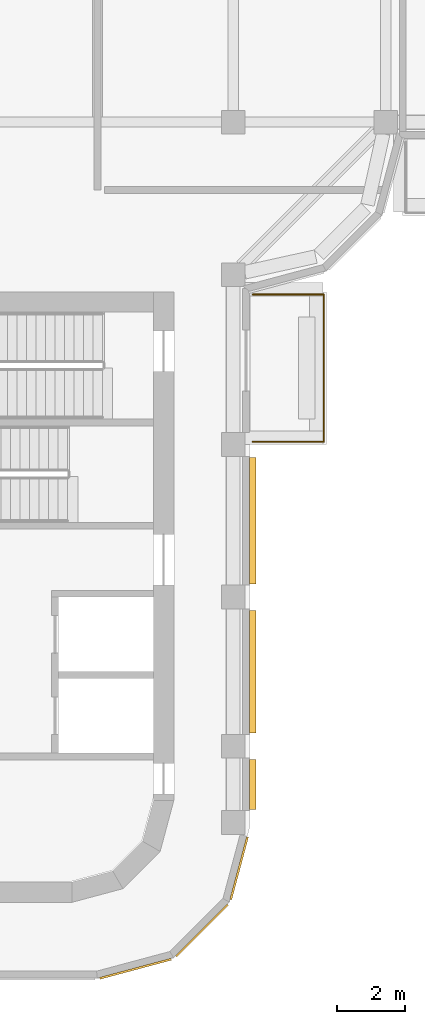
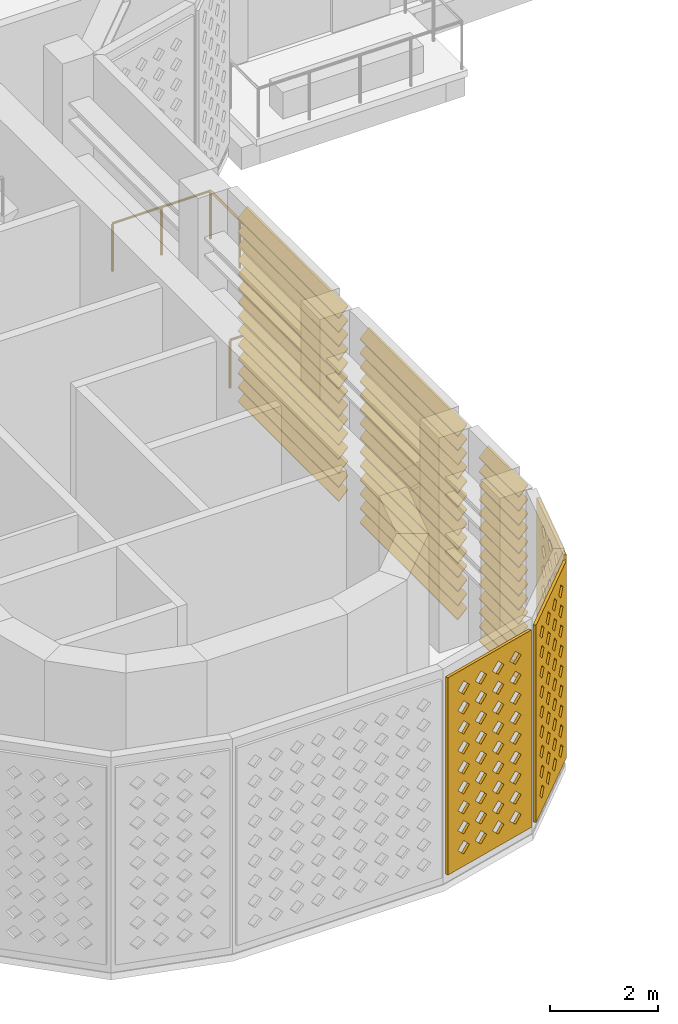
# One storey, part 13 of 20: 3 coverings, 3 shading devices, 1 railing.
"""IFC4 building model written with IfcOpenShell, lengths in metres."""

from ifc_helpers import new_model, si_unit, direction, frame, origin, origin_2d, place, context, subcontext, project, spatial, polyline, circle, outline, extrude, source, transform, mapped, material, layer, layer_set, type_object, element, save


model = new_model("IFC4")

# Units and contexts
model_context = context("Model", 3, precision=1e-05, world=origin(), true_north=direction((0.0, 1.0)))
body_context = subcontext(model_context, "Body", "Model", "MODEL_VIEW")
ifc_project = project(units=[si_unit("LENGTHUNIT", "METRE"), si_unit("AREAUNIT", "SQUARE_METRE"), si_unit("VOLUMEUNIT", "CUBIC_METRE"), si_unit("PLANEANGLEUNIT", "RADIAN"), si_unit("MASSUNIT", "GRAM", prefix="KILO")], contexts=[model_context])

# Site, building, storey
site_placement = place(None, origin())
site = spatial("IfcSite", under=ifc_project, at=site_placement, CompositionType="ELEMENT")
building_placement = place(site_placement, origin())
building = spatial("IfcBuilding", under=site, at=building_placement, Name="Zarbagh Exchange Tower", CompositionType="ELEMENT")
storey_placement = place(building_placement, frame((0.0, 0.0, 244.800048828125)))
storey = spatial("IfcBuildingStorey", under=building, at=storey_placement, Name="L60", CompositionType="ELEMENT", Elevation=244.800048828125)

# Railing
ifc_material_1 = material(Name="Stainless steel and laminated glass", Category="steel")
railing_type = type_object("IfcRailingType", Name="Terrace guard, glass balustrade 1.1 m", PredefinedType="GUARDRAIL", material=ifc_material_1)
railing_placement = place(storey_placement, frame((6.830078125, -11.330078125, 0.0)))
element("IfcRailing", 1, at=railing_placement, inside=storey, type_object=railing_type, Name="TG01 terrace guard", PredefinedType="GUARDRAIL", context=body_context, shape_type="SweptSolid", body=[
    extrude(circle(Radius=0.02490234375, at=origin_2d()), frame((0.0, 0.0, 1.0751953125), z_axis=(1.0, 0.0, 0.0), x_axis=(0.0, 1.0, 0.0)), (0.0, 0.0, 1.0), 2.08984375),
    extrude(circle(Radius=0.02490234375, at=origin_2d()), frame((2.08984375, 0.0, 1.0751953125), z_axis=(0.0, -1.0, 0.0), x_axis=(1.0, 0.0, 0.0)), (0.0, 0.0, 1.0), 4.33984375),
    extrude(circle(Radius=0.02490234375, at=origin_2d()), frame((2.08984375, -4.33984375, 1.0751953125), z_axis=(-1.0, 0.0, 0.0), x_axis=(0.0, -1.0, 0.0)), (0.0, 0.0, 1.0), 2.08984375),
    extrude(circle(Radius=0.02490234375, at=origin_2d()), origin(), (0.0, 0.0, 1.0), 1.050048828125),
    extrude(circle(Radius=0.02490234375, at=origin_2d()), frame((1.044921875, 0.0, 0.0)), (0.0, 0.0, 1.0), 1.050048828125),
    extrude(circle(Radius=0.02490234375, at=origin_2d()), frame((2.08984375, 0.0, 0.0)), (0.0, 0.0, 1.0), 1.050048828125),
    extrude(circle(Radius=0.02490234375, at=origin_2d()), frame((2.08984375, -1.0849609375, 0.0)), (0.0, 0.0, 1.0), 1.050048828125),
    extrude(circle(Radius=0.02490234375, at=origin_2d()), frame((2.08984375, -2.169921875, 0.0)), (0.0, 0.0, 1.0), 1.050048828125),
    extrude(circle(Radius=0.02490234375, at=origin_2d()), frame((2.08984375, -3.2548828125, 0.0)), (0.0, 0.0, 1.0), 1.050048828125),
    extrude(circle(Radius=0.02490234375, at=origin_2d()), frame((2.08984375, -4.33984375, 0.0)), (0.0, 0.0, 1.0), 1.050048828125),
    extrude(circle(Radius=0.02490234375, at=origin_2d()), frame((1.044921875, -4.33984375, 0.0)), (0.0, 0.0, 1.0), 1.050048828125),
    extrude(circle(Radius=0.02490234375, at=origin_2d()), frame((0.0, -4.33984375, 0.0)), (0.0, 0.0, 1.0), 1.050048828125),
])

# Coverings
ifc_material_2 = material(Name="Glass-fibre reinforced concrete GFRC C50/60", Category="concrete")
ifc_layer = layer(ifc_material_2, 0.06005859375)
ifc_layer_set = layer_set([ifc_layer], Name="SCREEN jali panel, GFRC")
covering_type = type_object("IfcCoveringType", Name="SCREEN jali panel, GFRC", PredefinedType="CLADDING", material=ifc_layer_set)
shared_shape_1 = source(origin(), body_context, "Body", "SweptSolid", [
    extrude(outline(polyline([(0.0, 0.0), (2.1650390625, 0.0), (2.1650390625, 4.449951171875), (0.0, 4.449951171875), (0.0, 0.0)]), holes=[polyline([(0.257568359375, 0.425048828125), (0.407470703125, 0.27490234375), (0.5576171875, 0.425048828125), (0.407470703125, 0.574951171875), (0.257568359375, 0.425048828125)]), polyline([(0.257568359375, 0.875), (0.407470703125, 0.72509765625), (0.5576171875, 0.875), (0.407470703125, 1.02490234375), (0.257568359375, 0.875)]), polyline([(0.257568359375, 1.324951171875), (0.407470703125, 1.175048828125), (0.5576171875, 1.324951171875), (0.407470703125, 1.47509765625), (0.257568359375, 1.324951171875)]), polyline([(0.257568359375, 1.77490234375), (0.407470703125, 1.625), (0.5576171875, 1.77490234375), (0.407470703125, 1.925048828125), (0.257568359375, 1.77490234375)]), polyline([(0.257568359375, 2.22509765625), (0.407470703125, 2.074951171875), (0.5576171875, 2.22509765625), (0.407470703125, 2.375), (0.257568359375, 2.22509765625)]), polyline([(0.257568359375, 2.675048828125), (0.407470703125, 2.52490234375), (0.5576171875, 2.675048828125), (0.407470703125, 2.824951171875), (0.257568359375, 2.675048828125)]), polyline([(0.257568359375, 3.125), (0.407470703125, 2.97509765625), (0.5576171875, 3.125), (0.407470703125, 3.27490234375), (0.257568359375, 3.125)]), polyline([(0.257568359375, 3.574951171875), (0.407470703125, 3.425048828125), (0.5576171875, 3.574951171875), (0.407470703125, 3.72509765625), (0.257568359375, 3.574951171875)]), polyline([(0.257568359375, 4.02490234375), (0.407470703125, 3.875), (0.5576171875, 4.02490234375), (0.407470703125, 4.175048828125), (0.257568359375, 4.02490234375)]), polyline([(0.70751953125, 0.425048828125), (0.857421875, 0.27490234375), (1.007568359375, 0.425048828125), (0.857421875, 0.574951171875), (0.70751953125, 0.425048828125)]), polyline([(0.70751953125, 0.875), (0.857421875, 0.72509765625), (1.007568359375, 0.875), (0.857421875, 1.02490234375), (0.70751953125, 0.875)]), polyline([(0.70751953125, 1.324951171875), (0.857421875, 1.175048828125), (1.007568359375, 1.324951171875), (0.857421875, 1.47509765625), (0.70751953125, 1.324951171875)]), polyline([(0.70751953125, 1.77490234375), (0.857421875, 1.625), (1.007568359375, 1.77490234375), (0.857421875, 1.925048828125), (0.70751953125, 1.77490234375)]), polyline([(0.70751953125, 2.22509765625), (0.857421875, 2.074951171875), (1.007568359375, 2.22509765625), (0.857421875, 2.375), (0.70751953125, 2.22509765625)]), polyline([(0.70751953125, 2.675048828125), (0.857421875, 2.52490234375), (1.007568359375, 2.675048828125), (0.857421875, 2.824951171875), (0.70751953125, 2.675048828125)]), polyline([(0.70751953125, 3.125), (0.857421875, 2.97509765625), (1.007568359375, 3.125), (0.857421875, 3.27490234375), (0.70751953125, 3.125)]), polyline([(0.70751953125, 3.574951171875), (0.857421875, 3.425048828125), (1.007568359375, 3.574951171875), (0.857421875, 3.72509765625), (0.70751953125, 3.574951171875)]), polyline([(0.70751953125, 4.02490234375), (0.857421875, 3.875), (1.007568359375, 4.02490234375), (0.857421875, 4.175048828125), (0.70751953125, 4.02490234375)]), polyline([(1.157470703125, 0.425048828125), (1.3076171875, 0.27490234375), (1.45751953125, 0.425048828125), (1.3076171875, 0.574951171875), (1.157470703125, 0.425048828125)]), polyline([(1.157470703125, 0.875), (1.3076171875, 0.72509765625), (1.45751953125, 0.875), (1.3076171875, 1.02490234375), (1.157470703125, 0.875)]), polyline([(1.157470703125, 1.324951171875), (1.3076171875, 1.175048828125), (1.45751953125, 1.324951171875), (1.3076171875, 1.47509765625), (1.157470703125, 1.324951171875)]), polyline([(1.157470703125, 1.77490234375), (1.3076171875, 1.625), (1.45751953125, 1.77490234375), (1.3076171875, 1.925048828125), (1.157470703125, 1.77490234375)]), polyline([(1.157470703125, 2.22509765625), (1.3076171875, 2.074951171875), (1.45751953125, 2.22509765625), (1.3076171875, 2.375), (1.157470703125, 2.22509765625)]), polyline([(1.157470703125, 2.675048828125), (1.3076171875, 2.52490234375), (1.45751953125, 2.675048828125), (1.3076171875, 2.824951171875), (1.157470703125, 2.675048828125)]), polyline([(1.157470703125, 3.125), (1.3076171875, 2.97509765625), (1.45751953125, 3.125), (1.3076171875, 3.27490234375), (1.157470703125, 3.125)]), polyline([(1.157470703125, 3.574951171875), (1.3076171875, 3.425048828125), (1.45751953125, 3.574951171875), (1.3076171875, 3.72509765625), (1.157470703125, 3.574951171875)]), polyline([(1.157470703125, 4.02490234375), (1.3076171875, 3.875), (1.45751953125, 4.02490234375), (1.3076171875, 4.175048828125), (1.157470703125, 4.02490234375)]), polyline([(1.607421875, 0.425048828125), (1.757568359375, 0.27490234375), (1.907470703125, 0.425048828125), (1.757568359375, 0.574951171875), (1.607421875, 0.425048828125)]), polyline([(1.607421875, 0.875), (1.757568359375, 0.72509765625), (1.907470703125, 0.875), (1.757568359375, 1.02490234375), (1.607421875, 0.875)]), polyline([(1.607421875, 1.324951171875), (1.757568359375, 1.175048828125), (1.907470703125, 1.324951171875), (1.757568359375, 1.47509765625), (1.607421875, 1.324951171875)]), polyline([(1.607421875, 1.77490234375), (1.757568359375, 1.625), (1.907470703125, 1.77490234375), (1.757568359375, 1.925048828125), (1.607421875, 1.77490234375)]), polyline([(1.607421875, 2.22509765625), (1.757568359375, 2.074951171875), (1.907470703125, 2.22509765625), (1.757568359375, 2.375), (1.607421875, 2.22509765625)]), polyline([(1.607421875, 2.675048828125), (1.757568359375, 2.52490234375), (1.907470703125, 2.675048828125), (1.757568359375, 2.824951171875), (1.607421875, 2.675048828125)]), polyline([(1.607421875, 3.125), (1.757568359375, 2.97509765625), (1.907470703125, 3.125), (1.757568359375, 3.27490234375), (1.607421875, 3.125)]), polyline([(1.607421875, 3.574951171875), (1.757568359375, 3.425048828125), (1.907470703125, 3.574951171875), (1.757568359375, 3.72509765625), (1.607421875, 3.574951171875)]), polyline([(1.607421875, 4.02490234375), (1.757568359375, 3.875), (1.907470703125, 4.02490234375), (1.757568359375, 4.175048828125), (1.607421875, 4.02490234375)])]), origin(), (0.0, 0.0, 1.0), 0.06005859375),
])
placement = place(storey_placement, origin())
element("IfcCovering", 2, at=placement, inside=storey, type_object=covering_type, Name="JS56 jali screen", PredefinedType="CLADDING", context=body_context, shape_type="MappedRepresentation", body=[
    mapped(shared_shape_1, transform((4.5439453125, -30.824951171875, 0.199951171875), x_axis=(0.707106781187, 0.707106781187, 0.0), y_axis=(0.0, 0.0, 1.0), z_axis=(0.707106781187, -0.707106781187, 0.0))),
])
shared_shape_2 = source(origin(), body_context, "Body", "SweptSolid", [
    extrude(outline(polyline([(0.0, 0.0), (2.181396484375, 0.0), (2.181396484375, 4.449951171875), (0.0, 4.449951171875), (0.0, 0.0)]), holes=[polyline([(0.265625, 0.425048828125), (0.415771484375, 0.27490234375), (0.565673828125, 0.425048828125), (0.415771484375, 0.574951171875), (0.265625, 0.425048828125)]), polyline([(0.265625, 0.875), (0.415771484375, 0.72509765625), (0.565673828125, 0.875), (0.415771484375, 1.02490234375), (0.265625, 0.875)]), polyline([(0.265625, 1.324951171875), (0.415771484375, 1.175048828125), (0.565673828125, 1.324951171875), (0.415771484375, 1.47509765625), (0.265625, 1.324951171875)]), polyline([(0.265625, 1.77490234375), (0.415771484375, 1.625), (0.565673828125, 1.77490234375), (0.415771484375, 1.925048828125), (0.265625, 1.77490234375)]), polyline([(0.265625, 2.22509765625), (0.415771484375, 2.074951171875), (0.565673828125, 2.22509765625), (0.415771484375, 2.375), (0.265625, 2.22509765625)]), polyline([(0.265625, 2.675048828125), (0.415771484375, 2.52490234375), (0.565673828125, 2.675048828125), (0.415771484375, 2.824951171875), (0.265625, 2.675048828125)]), polyline([(0.265625, 3.125), (0.415771484375, 2.97509765625), (0.565673828125, 3.125), (0.415771484375, 3.27490234375), (0.265625, 3.125)]), polyline([(0.265625, 3.574951171875), (0.415771484375, 3.425048828125), (0.565673828125, 3.574951171875), (0.415771484375, 3.72509765625), (0.265625, 3.574951171875)]), polyline([(0.265625, 4.02490234375), (0.415771484375, 3.875), (0.565673828125, 4.02490234375), (0.415771484375, 4.175048828125), (0.265625, 4.02490234375)]), polyline([(0.7158203125, 0.425048828125), (0.86572265625, 0.27490234375), (1.015625, 0.425048828125), (0.86572265625, 0.574951171875), (0.7158203125, 0.425048828125)]), polyline([(0.7158203125, 0.875), (0.86572265625, 0.72509765625), (1.015625, 0.875), (0.86572265625, 1.02490234375), (0.7158203125, 0.875)]), polyline([(0.7158203125, 1.324951171875), (0.86572265625, 1.175048828125), (1.015625, 1.324951171875), (0.86572265625, 1.47509765625), (0.7158203125, 1.324951171875)]), polyline([(0.7158203125, 1.77490234375), (0.86572265625, 1.625), (1.015625, 1.77490234375), (0.86572265625, 1.925048828125), (0.7158203125, 1.77490234375)]), polyline([(0.7158203125, 2.22509765625), (0.86572265625, 2.074951171875), (1.015625, 2.22509765625), (0.86572265625, 2.375), (0.7158203125, 2.22509765625)]), polyline([(0.7158203125, 2.675048828125), (0.86572265625, 2.52490234375), (1.015625, 2.675048828125), (0.86572265625, 2.824951171875), (0.7158203125, 2.675048828125)]), polyline([(0.7158203125, 3.125), (0.86572265625, 2.97509765625), (1.015625, 3.125), (0.86572265625, 3.27490234375), (0.7158203125, 3.125)]), polyline([(0.7158203125, 3.574951171875), (0.86572265625, 3.425048828125), (1.015625, 3.574951171875), (0.86572265625, 3.72509765625), (0.7158203125, 3.574951171875)]), polyline([(0.7158203125, 4.02490234375), (0.86572265625, 3.875), (1.015625, 4.02490234375), (0.86572265625, 4.175048828125), (0.7158203125, 4.02490234375)]), polyline([(1.165771484375, 0.425048828125), (1.315673828125, 0.27490234375), (1.4658203125, 0.425048828125), (1.315673828125, 0.574951171875), (1.165771484375, 0.425048828125)]), polyline([(1.165771484375, 0.875), (1.315673828125, 0.72509765625), (1.4658203125, 0.875), (1.315673828125, 1.02490234375), (1.165771484375, 0.875)]), polyline([(1.165771484375, 1.324951171875), (1.315673828125, 1.175048828125), (1.4658203125, 1.324951171875), (1.315673828125, 1.47509765625), (1.165771484375, 1.324951171875)]), polyline([(1.165771484375, 1.77490234375), (1.315673828125, 1.625), (1.4658203125, 1.77490234375), (1.315673828125, 1.925048828125), (1.165771484375, 1.77490234375)]), polyline([(1.165771484375, 2.22509765625), (1.315673828125, 2.074951171875), (1.4658203125, 2.22509765625), (1.315673828125, 2.375), (1.165771484375, 2.22509765625)]), polyline([(1.165771484375, 2.675048828125), (1.315673828125, 2.52490234375), (1.4658203125, 2.675048828125), (1.315673828125, 2.824951171875), (1.165771484375, 2.675048828125)]), polyline([(1.165771484375, 3.125), (1.315673828125, 2.97509765625), (1.4658203125, 3.125), (1.315673828125, 3.27490234375), (1.165771484375, 3.125)]), polyline([(1.165771484375, 3.574951171875), (1.315673828125, 3.425048828125), (1.4658203125, 3.574951171875), (1.315673828125, 3.72509765625), (1.165771484375, 3.574951171875)]), polyline([(1.165771484375, 4.02490234375), (1.315673828125, 3.875), (1.4658203125, 4.02490234375), (1.315673828125, 4.175048828125), (1.165771484375, 4.02490234375)]), polyline([(1.61572265625, 0.425048828125), (1.765625, 0.27490234375), (1.915771484375, 0.425048828125), (1.765625, 0.574951171875), (1.61572265625, 0.425048828125)]), polyline([(1.61572265625, 0.875), (1.765625, 0.72509765625), (1.915771484375, 0.875), (1.765625, 1.02490234375), (1.61572265625, 0.875)]), polyline([(1.61572265625, 1.324951171875), (1.765625, 1.175048828125), (1.915771484375, 1.324951171875), (1.765625, 1.47509765625), (1.61572265625, 1.324951171875)]), polyline([(1.61572265625, 1.77490234375), (1.765625, 1.625), (1.915771484375, 1.77490234375), (1.765625, 1.925048828125), (1.61572265625, 1.77490234375)]), polyline([(1.61572265625, 2.22509765625), (1.765625, 2.074951171875), (1.915771484375, 2.22509765625), (1.765625, 2.375), (1.61572265625, 2.22509765625)]), polyline([(1.61572265625, 2.675048828125), (1.765625, 2.52490234375), (1.915771484375, 2.675048828125), (1.765625, 2.824951171875), (1.61572265625, 2.675048828125)]), polyline([(1.61572265625, 3.125), (1.765625, 2.97509765625), (1.915771484375, 3.125), (1.765625, 3.27490234375), (1.61572265625, 3.125)]), polyline([(1.61572265625, 3.574951171875), (1.765625, 3.425048828125), (1.915771484375, 3.574951171875), (1.765625, 3.72509765625), (1.61572265625, 3.574951171875)]), polyline([(1.61572265625, 4.02490234375), (1.765625, 3.875), (1.915771484375, 4.02490234375), (1.765625, 4.175048828125), (1.61572265625, 4.02490234375)])]), origin(), (0.0, 0.0, 1.0), 0.06005859375),
])
element("IfcCovering", 3, at=placement, inside=storey, type_object=covering_type, Name="JS55 jali screen", PredefinedType="CLADDING", context=body_context, shape_type="MappedRepresentation", body=[
    mapped(shared_shape_2, transform((2.308349609375, -31.463623046875, 0.199951171875), x_axis=(0.965924215207, 0.258825057666, 0.0), y_axis=(0.0, 0.0, 1.0), z_axis=(0.258825057666, -0.965924215207, 0.0))),
])

# Shading device
ifc_material_3 = material(Name="Anodised aluminium", Category="aluminium")
shading_device_type = type_object("IfcShadingDeviceType", Name="LOUVRE plant louvre, fixed blades", PredefinedType="USERDEFINED", material=ifc_material_3)
shared_shape_3 = source(origin(), body_context, "Body", "SweptSolid", [
    extrude(outline(polyline([(0.0, 0.199951171875), (0.199951171875, 0.0), (0.199951171875, -0.02001953125), (0.0, 0.179931640625), (0.0, 0.199951171875)])), origin(), (0.0, 0.0, 1.0), 3.6201171875),
])
element("IfcShadingDevice", 4, at=placement, inside=storey, type_object=shading_device_type, Name="LV13 plant louvre", ObjectType="LOUVRE", PredefinedType="USERDEFINED", context=body_context, shape_type="MappedRepresentation", body=[
    mapped(shared_shape_3, transform((6.72998046875, -24.260009765625, 0.199951171875), x_axis=(1.0, 0.0, 0.0), y_axis=(0.0, 0.0, -1.0), z_axis=(0.0, 1.0, 0.0))),
    mapped(shared_shape_3, transform((6.72998046875, -24.260009765625, 0.517822265625), x_axis=(1.0, 0.0, 0.0), y_axis=(0.0, 0.0, -1.0), z_axis=(0.0, 1.0, 0.0))),
    mapped(shared_shape_3, transform((6.72998046875, -24.260009765625, 0.835693359375), x_axis=(1.0, 0.0, 0.0), y_axis=(0.0, 0.0, -1.0), z_axis=(0.0, 1.0, 0.0))),
    mapped(shared_shape_3, transform((6.72998046875, -24.260009765625, 1.153564453125), x_axis=(1.0, 0.0, 0.0), y_axis=(0.0, 0.0, -1.0), z_axis=(0.0, 1.0, 0.0))),
    mapped(shared_shape_3, transform((6.72998046875, -24.260009765625, 1.471435546875), x_axis=(1.0, 0.0, 0.0), y_axis=(0.0, 0.0, -1.0), z_axis=(0.0, 1.0, 0.0))),
    mapped(shared_shape_3, transform((6.72998046875, -24.260009765625, 1.789306640625), x_axis=(1.0, 0.0, 0.0), y_axis=(0.0, 0.0, -1.0), z_axis=(0.0, 1.0, 0.0))),
    mapped(shared_shape_3, transform((6.72998046875, -24.260009765625, 2.107177734375), x_axis=(1.0, 0.0, 0.0), y_axis=(0.0, 0.0, -1.0), z_axis=(0.0, 1.0, 0.0))),
    mapped(shared_shape_3, transform((6.72998046875, -24.260009765625, 2.425048828125), x_axis=(1.0, 0.0, 0.0), y_axis=(0.0, 0.0, -1.0), z_axis=(0.0, 1.0, 0.0))),
    mapped(shared_shape_3, transform((6.72998046875, -24.260009765625, 2.742919921875), x_axis=(1.0, 0.0, 0.0), y_axis=(0.0, 0.0, -1.0), z_axis=(0.0, 1.0, 0.0))),
    mapped(shared_shape_3, transform((6.72998046875, -24.260009765625, 3.060546875), x_axis=(1.0, 0.0, 0.0), y_axis=(0.0, 0.0, -1.0), z_axis=(0.0, 1.0, 0.0))),
    mapped(shared_shape_3, transform((6.72998046875, -24.260009765625, 3.37841796875), x_axis=(1.0, 0.0, 0.0), y_axis=(0.0, 0.0, -1.0), z_axis=(0.0, 1.0, 0.0))),
    mapped(shared_shape_3, transform((6.72998046875, -24.260009765625, 3.6962890625), x_axis=(1.0, 0.0, 0.0), y_axis=(0.0, 0.0, -1.0), z_axis=(0.0, 1.0, 0.0))),
    mapped(shared_shape_3, transform((6.72998046875, -24.260009765625, 4.01416015625), x_axis=(1.0, 0.0, 0.0), y_axis=(0.0, 0.0, -1.0), z_axis=(0.0, 1.0, 0.0))),
    mapped(shared_shape_3, transform((6.72998046875, -24.260009765625, 4.33203125), x_axis=(1.0, 0.0, 0.0), y_axis=(0.0, 0.0, -1.0), z_axis=(0.0, 1.0, 0.0))),
])

# Covering
shared_shape_4 = source(origin(), body_context, "Body", "SweptSolid", [
    extrude(outline(polyline([(0.0, 0.0), (1.914794921875, 0.0), (1.914794921875, 4.449951171875), (0.0, 4.449951171875), (0.0, 0.0)]), holes=[polyline([(0.357421875, 0.425048828125), (0.50732421875, 0.27490234375), (0.657470703125, 0.425048828125), (0.50732421875, 0.574951171875), (0.357421875, 0.425048828125)]), polyline([(0.357421875, 0.875), (0.50732421875, 0.72509765625), (0.657470703125, 0.875), (0.50732421875, 1.02490234375), (0.357421875, 0.875)]), polyline([(0.357421875, 1.324951171875), (0.50732421875, 1.175048828125), (0.657470703125, 1.324951171875), (0.50732421875, 1.47509765625), (0.357421875, 1.324951171875)]), polyline([(0.357421875, 1.77490234375), (0.50732421875, 1.625), (0.657470703125, 1.77490234375), (0.50732421875, 1.925048828125), (0.357421875, 1.77490234375)]), polyline([(0.357421875, 2.22509765625), (0.50732421875, 2.074951171875), (0.657470703125, 2.22509765625), (0.50732421875, 2.375), (0.357421875, 2.22509765625)]), polyline([(0.357421875, 2.675048828125), (0.50732421875, 2.52490234375), (0.657470703125, 2.675048828125), (0.50732421875, 2.824951171875), (0.357421875, 2.675048828125)]), polyline([(0.357421875, 3.125), (0.50732421875, 2.97509765625), (0.657470703125, 3.125), (0.50732421875, 3.27490234375), (0.357421875, 3.125)]), polyline([(0.357421875, 3.574951171875), (0.50732421875, 3.425048828125), (0.657470703125, 3.574951171875), (0.50732421875, 3.72509765625), (0.357421875, 3.574951171875)]), polyline([(0.357421875, 4.02490234375), (0.50732421875, 3.875), (0.657470703125, 4.02490234375), (0.50732421875, 4.175048828125), (0.357421875, 4.02490234375)]), polyline([(0.807373046875, 0.425048828125), (0.95751953125, 0.27490234375), (1.107421875, 0.425048828125), (0.95751953125, 0.574951171875), (0.807373046875, 0.425048828125)]), polyline([(0.807373046875, 0.875), (0.95751953125, 0.72509765625), (1.107421875, 0.875), (0.95751953125, 1.02490234375), (0.807373046875, 0.875)]), polyline([(0.807373046875, 1.324951171875), (0.95751953125, 1.175048828125), (1.107421875, 1.324951171875), (0.95751953125, 1.47509765625), (0.807373046875, 1.324951171875)]), polyline([(0.807373046875, 1.77490234375), (0.95751953125, 1.625), (1.107421875, 1.77490234375), (0.95751953125, 1.925048828125), (0.807373046875, 1.77490234375)]), polyline([(0.807373046875, 2.22509765625), (0.95751953125, 2.074951171875), (1.107421875, 2.22509765625), (0.95751953125, 2.375), (0.807373046875, 2.22509765625)]), polyline([(0.807373046875, 2.675048828125), (0.95751953125, 2.52490234375), (1.107421875, 2.675048828125), (0.95751953125, 2.824951171875), (0.807373046875, 2.675048828125)]), polyline([(0.807373046875, 3.125), (0.95751953125, 2.97509765625), (1.107421875, 3.125), (0.95751953125, 3.27490234375), (0.807373046875, 3.125)]), polyline([(0.807373046875, 3.574951171875), (0.95751953125, 3.425048828125), (1.107421875, 3.574951171875), (0.95751953125, 3.72509765625), (0.807373046875, 3.574951171875)]), polyline([(0.807373046875, 4.02490234375), (0.95751953125, 3.875), (1.107421875, 4.02490234375), (0.95751953125, 4.175048828125), (0.807373046875, 4.02490234375)]), polyline([(1.25732421875, 0.425048828125), (1.407470703125, 0.27490234375), (1.557373046875, 0.425048828125), (1.407470703125, 0.574951171875), (1.25732421875, 0.425048828125)]), polyline([(1.25732421875, 0.875), (1.407470703125, 0.72509765625), (1.557373046875, 0.875), (1.407470703125, 1.02490234375), (1.25732421875, 0.875)]), polyline([(1.25732421875, 1.324951171875), (1.407470703125, 1.175048828125), (1.557373046875, 1.324951171875), (1.407470703125, 1.47509765625), (1.25732421875, 1.324951171875)]), polyline([(1.25732421875, 1.77490234375), (1.407470703125, 1.625), (1.557373046875, 1.77490234375), (1.407470703125, 1.925048828125), (1.25732421875, 1.77490234375)]), polyline([(1.25732421875, 2.22509765625), (1.407470703125, 2.074951171875), (1.557373046875, 2.22509765625), (1.407470703125, 2.375), (1.25732421875, 2.22509765625)]), polyline([(1.25732421875, 2.675048828125), (1.407470703125, 2.52490234375), (1.557373046875, 2.675048828125), (1.407470703125, 2.824951171875), (1.25732421875, 2.675048828125)]), polyline([(1.25732421875, 3.125), (1.407470703125, 2.97509765625), (1.557373046875, 3.125), (1.407470703125, 3.27490234375), (1.25732421875, 3.125)]), polyline([(1.25732421875, 3.574951171875), (1.407470703125, 3.425048828125), (1.557373046875, 3.574951171875), (1.407470703125, 3.72509765625), (1.25732421875, 3.574951171875)]), polyline([(1.25732421875, 4.02490234375), (1.407470703125, 3.875), (1.557373046875, 4.02490234375), (1.407470703125, 4.175048828125), (1.25732421875, 4.02490234375)])]), origin(), (0.0, 0.0, 1.0), 0.06005859375),
])
element("IfcCovering", 5, at=placement, inside=storey, type_object=covering_type, Name="JS57 jali screen", PredefinedType="CLADDING", context=body_context, shape_type="MappedRepresentation", body=[
    mapped(shared_shape_4, transform((6.14892578125, -29.16552734375, 0.199951171875), x_axis=(0.258825057666, 0.965924215207, 0.0), y_axis=(0.0, 0.0, 1.0), z_axis=(0.965924215207, -0.258825057666, 0.0))),
])

# Shading devices
shared_shape_5 = source(origin(), body_context, "Body", "SweptSolid", [
    extrude(outline(polyline([(0.0, 0.199951171875), (0.199951171875, 0.0), (0.199951171875, -0.02001953125), (0.0, 0.179931640625), (0.0, 0.199951171875)])), origin(), (0.0, 0.0, 1.0), 1.469970703125),
])
element("IfcShadingDevice", 6, at=placement, inside=storey, type_object=shading_device_type, Name="LV13 plant louvre", ObjectType="LOUVRE", PredefinedType="USERDEFINED", context=body_context, shape_type="MappedRepresentation", body=[
    mapped(shared_shape_5, transform((6.72998046875, -26.510009765625, 0.199951171875), x_axis=(1.0, 0.0, 0.0), y_axis=(0.0, 0.0, -1.0), z_axis=(0.0, 1.0, 0.0))),
    mapped(shared_shape_5, transform((6.72998046875, -26.510009765625, 0.517822265625), x_axis=(1.0, 0.0, 0.0), y_axis=(0.0, 0.0, -1.0), z_axis=(0.0, 1.0, 0.0))),
    mapped(shared_shape_5, transform((6.72998046875, -26.510009765625, 0.835693359375), x_axis=(1.0, 0.0, 0.0), y_axis=(0.0, 0.0, -1.0), z_axis=(0.0, 1.0, 0.0))),
    mapped(shared_shape_5, transform((6.72998046875, -26.510009765625, 1.153564453125), x_axis=(1.0, 0.0, 0.0), y_axis=(0.0, 0.0, -1.0), z_axis=(0.0, 1.0, 0.0))),
    mapped(shared_shape_5, transform((6.72998046875, -26.510009765625, 1.471435546875), x_axis=(1.0, 0.0, 0.0), y_axis=(0.0, 0.0, -1.0), z_axis=(0.0, 1.0, 0.0))),
    mapped(shared_shape_5, transform((6.72998046875, -26.510009765625, 1.789306640625), x_axis=(1.0, 0.0, 0.0), y_axis=(0.0, 0.0, -1.0), z_axis=(0.0, 1.0, 0.0))),
    mapped(shared_shape_5, transform((6.72998046875, -26.510009765625, 2.107177734375), x_axis=(1.0, 0.0, 0.0), y_axis=(0.0, 0.0, -1.0), z_axis=(0.0, 1.0, 0.0))),
    mapped(shared_shape_5, transform((6.72998046875, -26.510009765625, 2.425048828125), x_axis=(1.0, 0.0, 0.0), y_axis=(0.0, 0.0, -1.0), z_axis=(0.0, 1.0, 0.0))),
    mapped(shared_shape_5, transform((6.72998046875, -26.510009765625, 2.742919921875), x_axis=(1.0, 0.0, 0.0), y_axis=(0.0, 0.0, -1.0), z_axis=(0.0, 1.0, 0.0))),
    mapped(shared_shape_5, transform((6.72998046875, -26.510009765625, 3.060546875), x_axis=(1.0, 0.0, 0.0), y_axis=(0.0, 0.0, -1.0), z_axis=(0.0, 1.0, 0.0))),
    mapped(shared_shape_5, transform((6.72998046875, -26.510009765625, 3.37841796875), x_axis=(1.0, 0.0, 0.0), y_axis=(0.0, 0.0, -1.0), z_axis=(0.0, 1.0, 0.0))),
    mapped(shared_shape_5, transform((6.72998046875, -26.510009765625, 3.6962890625), x_axis=(1.0, 0.0, 0.0), y_axis=(0.0, 0.0, -1.0), z_axis=(0.0, 1.0, 0.0))),
    mapped(shared_shape_5, transform((6.72998046875, -26.510009765625, 4.01416015625), x_axis=(1.0, 0.0, 0.0), y_axis=(0.0, 0.0, -1.0), z_axis=(0.0, 1.0, 0.0))),
    mapped(shared_shape_5, transform((6.72998046875, -26.510009765625, 4.33203125), x_axis=(1.0, 0.0, 0.0), y_axis=(0.0, 0.0, -1.0), z_axis=(0.0, 1.0, 0.0))),
])
shared_shape_6 = source(origin(), body_context, "Body", "SweptSolid", [
    extrude(outline(polyline([(0.0, 0.199951171875), (0.199951171875, 0.0), (0.199951171875, -0.02001953125), (0.0, 0.179931640625), (0.0, 0.199951171875)])), origin(), (0.0, 0.0, 1.0), 3.719970703125),
])
element("IfcShadingDevice", 7, at=placement, inside=storey, type_object=shading_device_type, Name="LV13 plant louvre", ObjectType="LOUVRE", PredefinedType="USERDEFINED", context=body_context, shape_type="MappedRepresentation", body=[
    mapped(shared_shape_6, transform((6.72998046875, -19.860107421875, 0.199951171875), x_axis=(1.0, 0.0, 0.0), y_axis=(0.0, 0.0, -1.0), z_axis=(0.0, 1.0, 0.0))),
    mapped(shared_shape_6, transform((6.72998046875, -19.860107421875, 0.517822265625), x_axis=(1.0, 0.0, 0.0), y_axis=(0.0, 0.0, -1.0), z_axis=(0.0, 1.0, 0.0))),
    mapped(shared_shape_6, transform((6.72998046875, -19.860107421875, 0.835693359375), x_axis=(1.0, 0.0, 0.0), y_axis=(0.0, 0.0, -1.0), z_axis=(0.0, 1.0, 0.0))),
    mapped(shared_shape_6, transform((6.72998046875, -19.860107421875, 1.153564453125), x_axis=(1.0, 0.0, 0.0), y_axis=(0.0, 0.0, -1.0), z_axis=(0.0, 1.0, 0.0))),
    mapped(shared_shape_6, transform((6.72998046875, -19.860107421875, 1.471435546875), x_axis=(1.0, 0.0, 0.0), y_axis=(0.0, 0.0, -1.0), z_axis=(0.0, 1.0, 0.0))),
    mapped(shared_shape_6, transform((6.72998046875, -19.860107421875, 1.789306640625), x_axis=(1.0, 0.0, 0.0), y_axis=(0.0, 0.0, -1.0), z_axis=(0.0, 1.0, 0.0))),
    mapped(shared_shape_6, transform((6.72998046875, -19.860107421875, 2.107177734375), x_axis=(1.0, 0.0, 0.0), y_axis=(0.0, 0.0, -1.0), z_axis=(0.0, 1.0, 0.0))),
    mapped(shared_shape_6, transform((6.72998046875, -19.860107421875, 2.425048828125), x_axis=(1.0, 0.0, 0.0), y_axis=(0.0, 0.0, -1.0), z_axis=(0.0, 1.0, 0.0))),
    mapped(shared_shape_6, transform((6.72998046875, -19.860107421875, 2.742919921875), x_axis=(1.0, 0.0, 0.0), y_axis=(0.0, 0.0, -1.0), z_axis=(0.0, 1.0, 0.0))),
    mapped(shared_shape_6, transform((6.72998046875, -19.860107421875, 3.060546875), x_axis=(1.0, 0.0, 0.0), y_axis=(0.0, 0.0, -1.0), z_axis=(0.0, 1.0, 0.0))),
    mapped(shared_shape_6, transform((6.72998046875, -19.860107421875, 3.37841796875), x_axis=(1.0, 0.0, 0.0), y_axis=(0.0, 0.0, -1.0), z_axis=(0.0, 1.0, 0.0))),
    mapped(shared_shape_6, transform((6.72998046875, -19.860107421875, 3.6962890625), x_axis=(1.0, 0.0, 0.0), y_axis=(0.0, 0.0, -1.0), z_axis=(0.0, 1.0, 0.0))),
    mapped(shared_shape_6, transform((6.72998046875, -19.860107421875, 4.01416015625), x_axis=(1.0, 0.0, 0.0), y_axis=(0.0, 0.0, -1.0), z_axis=(0.0, 1.0, 0.0))),
    mapped(shared_shape_6, transform((6.72998046875, -19.860107421875, 4.33203125), x_axis=(1.0, 0.0, 0.0), y_axis=(0.0, 0.0, -1.0), z_axis=(0.0, 1.0, 0.0))),
])

save(model, "model.ifc")
